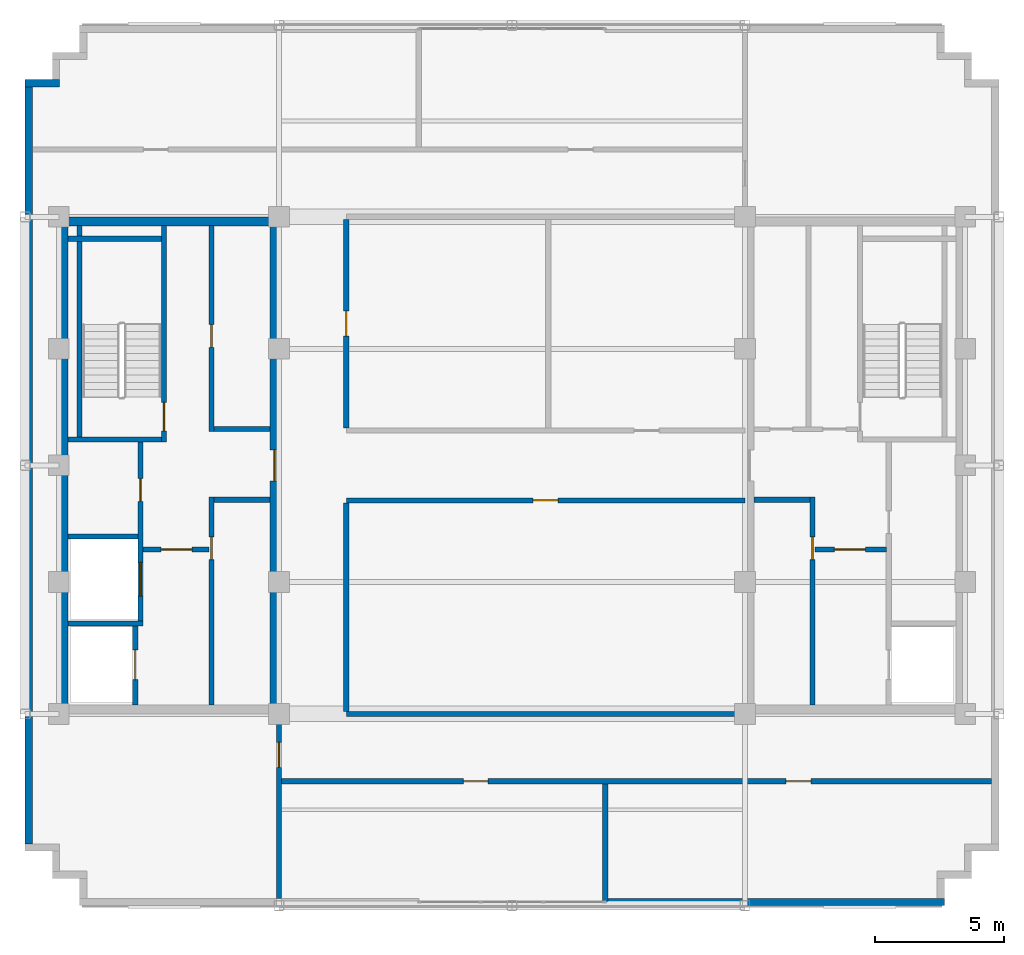
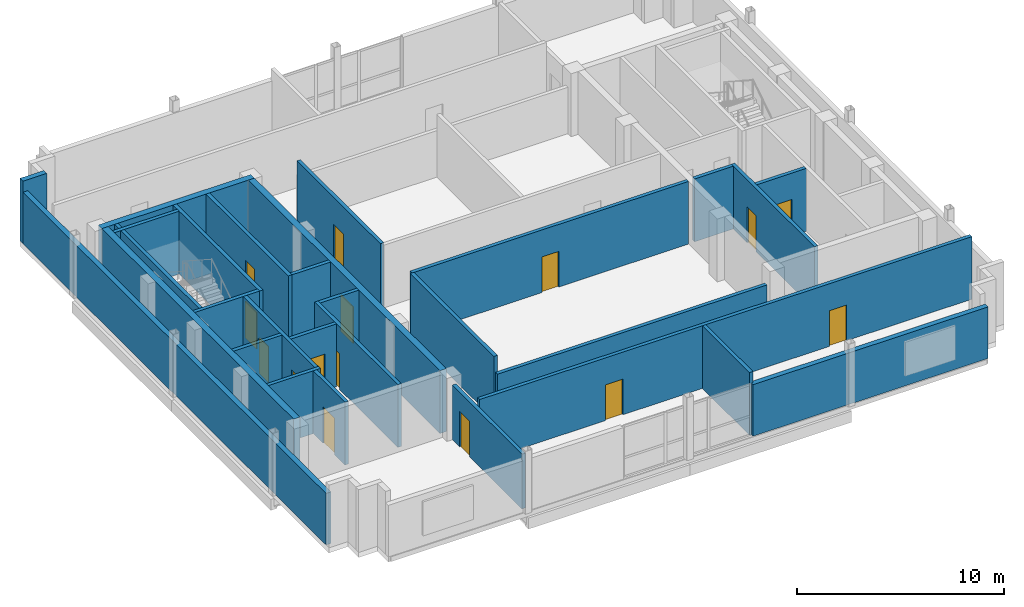
# One storey, part 2 of 10: 29 walls, 15 doors, 15 openings.
"""IFC4 building model written with IfcOpenShell, lengths in metres."""

from ifc_helpers import new_model, si_unit, direction, frame, frame_2d, origin, place, context, subcontext, project, spatial, rectangle, extrude, source, transform, mapped, material, layer, layer_set, type_object, type_shapes, element, fill, save


model = new_model("IFC4")

# Units and contexts
model_context = context("Model", 3, precision=1e-05, world=origin(), true_north=direction((0.0, 1.0)))
body_context = subcontext(model_context, "Body", "Model", "MODEL_VIEW")
ifc_project = project(units=[si_unit("LENGTHUNIT", "METRE"), si_unit("AREAUNIT", "SQUARE_METRE"), si_unit("VOLUMEUNIT", "CUBIC_METRE"), si_unit("PLANEANGLEUNIT", "RADIAN"), si_unit("MASSUNIT", "GRAM", prefix="KILO")], contexts=[model_context])

# Site, building, storey
site_placement = place(None, origin())
site = spatial("IfcSite", under=ifc_project, at=site_placement, CompositionType="ELEMENT")
building_placement = place(site_placement, origin())
building = spatial("IfcBuilding", under=site, at=building_placement, Name="Nuvemarco Arch Tower", CompositionType="ELEMENT")
storey_placement = place(building_placement, frame((0.0, 0.0, 299.14990234375)))
storey = spatial("IfcBuildingStorey", under=building, at=storey_placement, Name="L79", CompositionType="ELEMENT", Elevation=299.14990234375)

# Walls
ifc_material_1 = material(Name="Precast concrete C45/55", Category="concrete")
ifc_layer_1 = layer(ifc_material_1, 0.280029296875, Name="EW-CRN-280")
ifc_layer_set_1 = layer_set([ifc_layer_1], Name="Precast concrete C45/55")
wall_type_1 = type_object("IfcWallType", Name="EW-CRN-280", PredefinedType="STANDARD", material=ifc_layer_set_1)
wall_1_placement = place(storey_placement, frame((3.60009765625, -16.860107421875, 0.0), z_axis=(0.0, 0.0, 1.0), x_axis=(1.0, 0.0, 0.0)))
element("IfcWall", 1, at=wall_1_placement, inside=storey, type_object=wall_type_1, Name="L79 exterior precast pier wall south right", PredefinedType="STANDARD", context=body_context, shape_type="SweptSolid", body=[
    extrude(rectangle(XDim=13.099853515625, YDim=0.280029296875, at=frame_2d((6.5498046875, 0.0))), origin(), (0.0, 0.0, 1.0), 3.03515625),
])
wall_2_placement = place(storey_placement, frame((-18.800048828125, 14.760009765625, 0.0), z_axis=(0.0, 0.0, 1.0), x_axis=(1.0, 0.0, 0.0)))
element("IfcWall", 2, at=wall_2_placement, inside=storey, type_object=wall_type_1, Name="L79 exterior precast facade wall 15", PredefinedType="STANDARD", context=body_context, shape_type="SweptSolid", body=[
    extrude(rectangle(XDim=1.330078125, YDim=0.280029296875, at=frame_2d((0.6650390625, 0.0))), origin(), (0.0, 0.0, 1.0), 3.690185546875),
])
wall_3_placement = place(storey_placement, frame((-18.659912109375, -14.6240234375, 0.0), z_axis=(0.0, 0.0, 1.0), x_axis=(0.0, 1.0, 0.0)))
element("IfcWall", 3, at=wall_3_placement, inside=storey, type_object=wall_type_1, Name="L79 exterior precast facade wall 16", PredefinedType="STANDARD", context=body_context, shape_type="SweptSolid", body=[
    extrude(rectangle(XDim=29.248046875, YDim=0.280029296875, at=frame_2d((14.6240234375, 0.0))), origin(), (0.0, 0.0, 1.0), 3.03515625),
])
ifc_material_2 = material(Name="Concrete C50/60", Category="concrete")
ifc_layer_2 = layer(ifc_material_2, 0.35009765625, Name="WL-CORE-350")
ifc_layer_set_2 = layer_set([ifc_layer_2], Name="Concrete C50/60")
wall_type_2 = type_object("IfcWallType", Name="WL-CORE-350", PredefinedType="SHEAR", material=ifc_layer_set_2)
wall_4_placement = place(storey_placement, frame((-17.5, 9.425048828125, 0.0), z_axis=(0.0, 0.0, 1.0), x_axis=(1.0, 0.0, 0.0)))
element("IfcWall", 4, at=wall_4_placement, inside=storey, type_object=wall_type_2, Name="L79 W-core shear wall N", PredefinedType="SHEAR", context=body_context, shape_type="SweptSolid", body=[
    extrude(rectangle(XDim=8.5, YDim=0.35009765625, at=frame_2d((4.25, 0.0))), origin(), (0.0, 0.0, 1.0), 3.7001953125),
])
wall_5_placement = place(storey_placement, frame((-17.324951171875, -9.2548828125, 0.0), z_axis=(0.0, 0.0, 1.0), x_axis=(0.0, 1.0, 0.0)))
element("IfcWall", 5, at=wall_5_placement, inside=storey, type_object=wall_type_2, Name="L79 W-core shear wall W", PredefinedType="SHEAR", context=body_context, shape_type="SweptSolid", body=[
    extrude(rectangle(XDim=18.509765625, YDim=0.35009765625, at=frame_2d((9.2548828125, 0.0))), origin(), (0.0, 0.0, 1.0), 3.7001953125),
])

# Wall, opening, door
wall_6_placement = place(storey_placement, frame((-9.175048828125, -9.2548828125, 0.0), z_axis=(0.0, 0.0, 1.0), x_axis=(0.0, 1.0, 0.0)))
wall_6 = element("IfcWall", 6, at=wall_6_placement, inside=storey, type_object=wall_type_2, Name="L79 W-core shear wall E", PredefinedType="SHEAR", context=body_context, shape_type="SweptSolid", body=[
    extrude(rectangle(XDim=18.509765625, YDim=0.35009765625, at=frame_2d((9.2548828125, 0.0))), origin(), (0.0, 0.0, 1.0), 3.7001953125),
])
opening_1_placement = place(wall_6_placement, frame((8.655029296875, 0.0, 0.0)))
opening_1 = element("IfcOpeningElement", 7, at=opening_1_placement, cuts=wall_6, Name="Opening FD-2", PredefinedType="OPENING", context=body_context, shape_type="SweptSolid", body=[
    extrude(rectangle(XDim=1.199951171875, YDim=2.14990234375, at=frame_2d((0.60009765625, 1.074951171875))), frame((0.0, 0.18505859375, 0.0), z_axis=(0.0, -1.0, 0.0), x_axis=(1.0, 0.0, 0.0)), (0.0, 0.0, 1.0), 0.3701171875),
])
ifc_material_3 = material(Name="Anodised steel fire door", Category="steel")
door_type_1 = type_object("IfcDoorType", Name="DR-FFLOB-FD", OperationType="NOTDEFINED", PredefinedType="DOOR", material=ifc_material_3)
shared_shape_1 = source(origin(), body_context, "Body", "SweptSolid", [
    extrude(rectangle(XDim=1.199951171875, YDim=2.14990234375, at=frame_2d((0.60009765625, 1.074951171875))), frame((0.0, 0.02490234375, 0.0), z_axis=(0.0, -1.0, 0.0), x_axis=(1.0, 0.0, 0.0)), (0.0, 0.0, 1.0), 0.050048828125),
])
type_shapes(door_type_1, [shared_shape_1])
door_1_placement = place(opening_1_placement, origin())
door_1 = element("IfcDoor", 8, at=door_1_placement, inside=storey, type_object=door_type_1, Name="L79 door FD-L79-WCORE-E", OperationType="SINGLE_SWING_RIGHT", OverallHeight=2.14990234375, OverallWidth=1.199951171875, PredefinedType="DOOR", context=body_context, shape_type="MappedRepresentation", body=[
    mapped(shared_shape_1, transform((0.0, 0.0, 0.0), scale=1.0)),
])
fill(opening_1, door_1)

# Wall, openings, doors
ifc_layer_3 = layer(ifc_material_1, 0.199951171875, Name="WL-PLANT-200")
ifc_layer_set_3 = layer_set([ifc_layer_3], Name="Precast concrete C45/55")
wall_type_3 = type_object("IfcWallType", Name="WL-PLANT-200", PredefinedType="STANDARD", material=ifc_layer_set_3)
wall_7_placement = place(storey_placement, frame((-8.904052734375, -12.199951171875, 0.0), z_axis=(0.0, 0.0, 1.0), x_axis=(1.0, 0.0, 0.0)))
wall_7 = element("IfcWall", 9, at=wall_7_placement, inside=storey, type_object=wall_type_3, Name="L79 interior wall IW-L79-001", PredefinedType="STANDARD", context=body_context, shape_type="SweptSolid", body=[
    extrude(rectangle(XDim=27.424072265625, YDim=0.199951171875, at=frame_2d((13.7119140625, 0.0))), origin(), (0.0, 0.0, 1.0), 3.690185546875),
])
opening_2_placement = place(wall_7_placement, frame((19.48388671875, 0.0, 0.0)))
opening_2 = element("IfcOpeningElement", 10, at=opening_2_placement, cuts=wall_7, Name="Opening FD-5", PredefinedType="OPENING", context=body_context, shape_type="SweptSolid", body=[
    extrude(rectangle(XDim=0.9599609375, YDim=2.10009765625, at=frame_2d((0.47998046875, 1.050048828125))), frame((0.0, 0.10986328125, 0.0), z_axis=(0.0, -1.0, 0.0), x_axis=(1.0, 0.0, 0.0)), (0.0, 0.0, 1.0), 0.219970703125),
])
opening_3_placement = place(wall_7_placement, frame((7.02392578125, 0.0, 0.0)))
opening_3 = element("IfcOpeningElement", 11, at=opening_3_placement, cuts=wall_7, Name="Opening FD-5", PredefinedType="OPENING", context=body_context, shape_type="SweptSolid", body=[
    extrude(rectangle(XDim=0.9599609375, YDim=2.10009765625, at=frame_2d((0.47998046875, 1.050048828125))), frame((0.0, 0.10986328125, 0.0), z_axis=(0.0, -1.0, 0.0), x_axis=(1.0, 0.0, 0.0)), (0.0, 0.0, 1.0), 0.219970703125),
])
ifc_material_4 = material(Name="Timber fire door", Category="wood")
door_type_2 = type_object("IfcDoorType", Name="DR-CORR-FD", OperationType="NOTDEFINED", PredefinedType="DOOR", material=ifc_material_4)
shared_shape_2 = source(origin(), body_context, "Body", "SweptSolid", [
    extrude(rectangle(XDim=0.9599609375, YDim=2.10009765625, at=frame_2d((0.47998046875, 1.050048828125))), frame((0.0, 0.02490234375, 0.0), z_axis=(0.0, -1.0, 0.0), x_axis=(1.0, 0.0, 0.0)), (0.0, 0.0, 1.0), 0.050048828125),
])
type_shapes(door_type_2, [shared_shape_2])
door_2_placement = place(opening_2_placement, origin())
door_2 = element("IfcDoor", 12, at=door_2_placement, inside=storey, type_object=door_type_2, Name="L79 door DR-L79-CRN_S2", OperationType="SINGLE_SWING_LEFT", OverallHeight=2.10009765625, OverallWidth=0.9599609375, PredefinedType="DOOR", context=body_context, shape_type="MappedRepresentation", body=[
    mapped(shared_shape_2, transform((0.0, 0.0, 0.0), scale=1.0)),
])
fill(opening_2, door_2)
door_3_placement = place(opening_3_placement, origin())
door_3 = element("IfcDoor", 13, at=door_3_placement, inside=storey, type_object=door_type_2, Name="L79 door DR-L79-CRN_S1", OperationType="SINGLE_SWING_LEFT", OverallHeight=2.10009765625, OverallWidth=0.9599609375, PredefinedType="DOOR", context=body_context, shape_type="MappedRepresentation", body=[
    mapped(shared_shape_2, transform((0.0, 0.0, 0.0), scale=1.0)),
])
fill(opening_3, door_3)

# Wall
wall_8_placement = place(storey_placement, frame((-6.39990234375, -9.60009765625, 0.0), z_axis=(0.0, 0.0, 1.0), x_axis=(1.0, 0.0, 0.0)))
element("IfcWall", 14, at=wall_8_placement, inside=storey, type_object=wall_type_3, Name="L79 interior wall IW-L79-002", PredefinedType="STANDARD", context=body_context, shape_type="SweptSolid", body=[
    extrude(rectangle(XDim=15.00390625, YDim=0.199951171875, at=frame_2d((7.501953125, 0.0))), origin(), (0.0, 0.0, 1.0), 2.735107421875),
])

# Wall, opening, door
wall_9_placement = place(storey_placement, frame((-6.39990234375, -1.35009765625, 0.0), z_axis=(0.0, 0.0, 1.0), x_axis=(1.0, 0.0, 0.0)))
wall_9 = element("IfcWall", 15, at=wall_9_placement, inside=storey, type_object=wall_type_3, Name="L79 interior wall IW-L79-003", PredefinedType="STANDARD", context=body_context, shape_type="SweptSolid", body=[
    extrude(rectangle(XDim=15.39990234375, YDim=0.199951171875, at=frame_2d((7.699951171875, 0.0))), origin(), (0.0, 0.0, 1.0), 3.690185546875),
])
opening_4_placement = place(wall_9_placement, frame((7.219970703125, 0.0, 0.0)))
opening_4 = element("IfcOpeningElement", 16, at=opening_4_placement, cuts=wall_9, Name="Opening FD-5", PredefinedType="OPENING", context=body_context, shape_type="SweptSolid", body=[
    extrude(rectangle(XDim=0.9599609375, YDim=2.10009765625, at=frame_2d((0.47998046875, 1.050048828125))), frame((0.0, 0.10986328125, 0.0), z_axis=(0.0, -1.0, 0.0), x_axis=(1.0, 0.0, 0.0)), (0.0, 0.0, 1.0), 0.219970703125),
])
door_4_placement = place(opening_4_placement, origin())
door_4 = element("IfcDoor", 17, at=door_4_placement, inside=storey, type_object=door_type_2, Name="L79 door DR-L79-CRN_BMS", OperationType="SINGLE_SWING_RIGHT", OverallHeight=2.10009765625, OverallWidth=0.9599609375, PredefinedType="DOOR", context=body_context, shape_type="MappedRepresentation", body=[
    mapped(shared_shape_2, transform((0.0, 0.0, 0.0), scale=1.0)),
])
fill(opening_4, door_4)

wall_10_placement = place(storey_placement, frame((-9.0, -16.719970703125, 0.0), z_axis=(0.0, 0.0, 1.0), x_axis=(0.0, 1.0, 0.0)))
wall_10 = element("IfcWall", 18, at=wall_10_placement, inside=storey, type_object=wall_type_3, Name="L79 interior wall IW-L79-007", PredefinedType="STANDARD", context=body_context, shape_type="SweptSolid", body=[
    extrude(rectangle(XDim=6.723876953125, YDim=0.199951171875, at=frame_2d((3.36181640625, 0.0))), origin(), (0.0, 0.0, 1.0), 3.22216796875),
])
opening_5_placement = place(wall_10_placement, frame((5.06005859375, 0.0, 0.0)))
opening_5 = element("IfcOpeningElement", 19, at=opening_5_placement, cuts=wall_10, Name="Opening FD-5", PredefinedType="OPENING", context=body_context, shape_type="SweptSolid", body=[
    extrude(rectangle(XDim=0.9599609375, YDim=2.10009765625, at=frame_2d((0.47998046875, 1.050048828125))), frame((0.0, 0.10986328125, 0.0), z_axis=(0.0, -1.0, 0.0), x_axis=(1.0, 0.0, 0.0)), (0.0, 0.0, 1.0), 0.219970703125),
])
door_5_placement = place(opening_5_placement, origin())
door_5 = element("IfcDoor", 20, at=door_5_placement, inside=storey, type_object=door_type_2, Name="L79 door DR-L79-CRN_SW", OperationType="SINGLE_SWING_RIGHT", OverallHeight=2.10009765625, OverallWidth=0.9599609375, PredefinedType="DOOR", context=body_context, shape_type="MappedRepresentation", body=[
    mapped(shared_shape_2, transform((0.0, 0.0, 0.0), scale=1.0)),
])
fill(opening_5, door_5)

# Wall
wall_11_placement = place(storey_placement, frame((-6.39990234375, -9.50390625, 0.0), z_axis=(0.0, 0.0, 1.0), x_axis=(0.0, 1.0, 0.0)))
element("IfcWall", 21, at=wall_11_placement, inside=storey, type_object=wall_type_3, Name="L79 interior wall IW-L79-008", PredefinedType="STANDARD", context=body_context, shape_type="SweptSolid", body=[
    extrude(rectangle(XDim=8.057861328125, YDim=0.199951171875, at=frame_2d((4.02880859375, 0.0))), origin(), (0.0, 0.0, 1.0), 3.690185546875),
])

# Wall, opening, door
wall_12_placement = place(storey_placement, frame((-6.39990234375, 1.446044921875, 0.0), z_axis=(0.0, 0.0, 1.0), x_axis=(0.0, 1.0, 0.0)))
wall_12 = element("IfcWall", 22, at=wall_12_placement, inside=storey, type_object=wall_type_3, Name="L79 interior wall IW-L79-009", PredefinedType="STANDARD", context=body_context, shape_type="SweptSolid", body=[
    extrude(rectangle(XDim=8.057861328125, YDim=0.199951171875, at=frame_2d((4.02880859375, 0.0))), origin(), (0.0, 0.0, 1.0), 3.690185546875),
])
opening_6_placement = place(wall_12_placement, frame((3.549072265625, 0.0, 0.0)))
opening_6 = element("IfcOpeningElement", 23, at=opening_6_placement, cuts=wall_12, Name="Opening FD-5", PredefinedType="OPENING", context=body_context, shape_type="SweptSolid", body=[
    extrude(rectangle(XDim=0.9599609375, YDim=2.10009765625, at=frame_2d((0.47998046875, 1.050048828125))), frame((0.0, 0.10986328125, 0.0), z_axis=(0.0, -1.0, 0.0), x_axis=(1.0, 0.0, 0.0)), (0.0, 0.0, 1.0), 0.219970703125),
])
door_6_placement = place(opening_6_placement, origin())
door_6 = element("IfcDoor", 24, at=door_6_placement, inside=storey, type_object=door_type_2, Name="L79 door DR-L79-CRN_PUMP1", OperationType="SINGLE_SWING_LEFT", OverallHeight=2.10009765625, OverallWidth=0.9599609375, PredefinedType="DOOR", context=body_context, shape_type="MappedRepresentation", body=[
    mapped(shared_shape_2, transform((0.0, 0.0, 0.0), scale=1.0)),
])
fill(opening_6, door_6)

# Wall
wall_13_placement = place(storey_placement, frame((3.60009765625, -16.844970703125, 0.0), z_axis=(0.0, 0.0, 1.0), x_axis=(0.0, 1.0, 0.0)))
element("IfcWall", 25, at=wall_13_placement, inside=storey, type_object=wall_type_3, Name="L79 interior wall IW-L79-012", PredefinedType="STANDARD", context=body_context, shape_type="SweptSolid", body=[
    extrude(rectangle(XDim=4.549072265625, YDim=0.199951171875, at=frame_2d((2.2744140625, 0.0))), origin(), (0.0, 0.0, 1.0), 3.690185546875),
])

# Wall, opening, door
ifc_layer_4 = layer(ifc_material_2, 0.199951171875, Name="WL-SHAFT-220")
ifc_layer_set_4 = layer_set([ifc_layer_4], Name="Concrete C50/60")
wall_type_4 = type_object("IfcWallType", Name="WL-SHAFT-220", PredefinedType="SHEAR", material=ifc_layer_set_4)
wall_14_placement = place(storey_placement, frame((-13.43994140625, 0.89990234375, 0.0), z_axis=(0.0, 0.0, 1.0), x_axis=(0.0, 1.0, 0.0)))
wall_14 = element("IfcWall", 26, at=wall_14_placement, inside=storey, type_object=wall_type_4, Name="L79 structural shaft wall SW-L79-W-ST1E", PredefinedType="SHEAR", context=body_context, shape_type="SweptSolid", body=[
    extrude(rectangle(XDim=8.35498046875, YDim=0.199951171875, at=frame_2d((4.177490234375, 0.0))), origin(), (0.0, 0.0, 1.0), 3.7001953125),
])
opening_7_placement = place(wall_14_placement, frame((1.530029296875, 0.0, 0.0), z_axis=(0.0, 0.0, 1.0), x_axis=(-1.0, 0.0, 0.0)))
opening_7 = element("IfcOpeningElement", 27, at=opening_7_placement, cuts=wall_14, Name="Opening FD-1", PredefinedType="OPENING", context=body_context, shape_type="SweptSolid", body=[
    extrude(rectangle(XDim=1.10009765625, YDim=2.14990234375, at=frame_2d((0.550048828125, 1.074951171875))), frame((0.0, 0.10986328125, 0.0), z_axis=(0.0, -1.0, 0.0), x_axis=(1.0, 0.0, 0.0)), (0.0, 0.0, 1.0), 0.219970703125),
])
door_type_3 = type_object("IfcDoorType", Name="DR-STAIR-FD", OperationType="NOTDEFINED", PredefinedType="DOOR", material=ifc_material_3)
shared_shape_3 = source(origin(), body_context, "Body", "SweptSolid", [
    extrude(rectangle(XDim=1.10009765625, YDim=2.14990234375, at=frame_2d((0.550048828125, 1.074951171875))), frame((0.0, 0.02490234375, 0.0), z_axis=(0.0, -1.0, 0.0), x_axis=(1.0, 0.0, 0.0)), (0.0, 0.0, 1.0), 0.050048828125),
])
type_shapes(door_type_3, [shared_shape_3])
door_7_placement = place(opening_7_placement, origin())
door_7 = element("IfcDoor", 28, at=door_7_placement, inside=storey, type_object=door_type_3, Name="L79 door FD-L79-ST1", OperationType="SINGLE_SWING_LEFT", OverallHeight=2.14990234375, OverallWidth=1.10009765625, PredefinedType="DOOR", context=body_context, shape_type="MappedRepresentation", body=[
    mapped(shared_shape_3, transform((0.0, 0.0, 0.0), scale=1.0)),
])
fill(opening_7, door_7)

# Walls
for number, where, z_axis, x_axis, name in (
    (29, (-17.155029296875, 1.0, 0.0), (0.0, 0.0, 1.0), (1.0, 0.0, 0.0), "L79 structural shaft wall SW-L79-W-ST1S"),
    (30, (-17.155029296875, 8.75, 0.0), (0.0, 0.0, 1.0), (1.0, 0.0, 0.0), "L79 structural shaft wall SW-L79-W-ST1N"),
):
    element("IfcWall", number, at=place(storey_placement, frame(where, z_axis=z_axis, x_axis=x_axis)), inside=storey, type_object=wall_type_4, Name=name, PredefinedType="SHEAR", context=body_context, shape_type="SweptSolid", body=[
        extrude(rectangle(XDim=3.6201171875, YDim=0.199951171875, at=frame_2d((1.81005859375, 0.0))), origin(), (0.0, 0.0, 1.0), 3.7001953125),
    ])
wall_15_placement = place(storey_placement, frame((-16.699951171875, 1.094970703125, 0.0), z_axis=(0.0, 0.0, 1.0), x_axis=(0.0, 1.0, 0.0)))
element("IfcWall", 31, at=wall_15_placement, inside=storey, type_object=wall_type_4, Name="L79 structural shaft wall SW-L79-W-ST1W", PredefinedType="SHEAR", context=body_context, shape_type="SweptSolid", body=[
    extrude(rectangle(XDim=8.159912109375, YDim=0.199951171875, at=frame_2d((4.080078125, 0.0))), origin(), (0.0, 0.0, 1.0), 3.7001953125),
])

# Wall, opening, door
wall_16_placement = place(storey_placement, frame((-14.550048828125, -9.2548828125, 0.0), z_axis=(0.0, 0.0, 1.0), x_axis=(0.0, 1.0, 0.0)))
wall_16 = element("IfcWall", 32, at=wall_16_placement, inside=storey, type_object=wall_type_4, Name="L79 structural shaft wall SW-L79-W-SHE", PredefinedType="SHEAR", context=body_context, shape_type="SweptSolid", body=[
    extrude(rectangle(XDim=3.059814453125, YDim=0.199951171875, at=frame_2d((1.52978515625, 0.0))), origin(), (0.0, 0.0, 1.0), 3.7001953125),
])
opening_8_placement = place(wall_16_placement, frame((0.97998046875, 0.0, 0.0)))
opening_8 = element("IfcOpeningElement", 33, at=opening_8_placement, cuts=wall_16, Name="Opening LD-2", PredefinedType="OPENING", context=body_context, shape_type="SweptSolid", body=[
    extrude(rectangle(XDim=1.14990234375, YDim=2.14990234375, at=frame_2d((0.574951171875, 1.074951171875))), frame((0.0, 0.10986328125, 0.0), z_axis=(0.0, -1.0, 0.0), x_axis=(1.0, 0.0, 0.0)), (0.0, 0.0, 1.0), 0.219970703125),
])
ifc_material_5 = material(Name="Stainless steel lift door", Category="steel")
door_type_4 = type_object("IfcDoorType", Name="DR-LIFT-FIRE", OperationType="DOUBLE_DOOR_SLIDING", PredefinedType="DOOR", material=ifc_material_5)
shared_shape_4 = source(origin(), body_context, "Body", "SweptSolid", [
    extrude(rectangle(XDim=1.14990234375, YDim=2.14990234375, at=frame_2d((0.574951171875, 1.074951171875))), frame((0.0, 0.02490234375, 0.0), z_axis=(0.0, -1.0, 0.0), x_axis=(1.0, 0.0, 0.0)), (0.0, 0.0, 1.0), 0.050048828125),
])
type_shapes(door_type_4, [shared_shape_4])
door_8_placement = place(opening_8_placement, origin())
door_8 = element("IfcDoor", 34, at=door_8_placement, inside=storey, type_object=door_type_4, Name="L79 Lift landing sliding door FFL-1", OperationType="DOUBLE_DOOR_SLIDING", OverallHeight=2.14990234375, OverallWidth=1.14990234375, PredefinedType="DOOR", context=body_context, shape_type="MappedRepresentation", body=[
    mapped(shared_shape_4, transform((0.0, 0.0, 0.0), scale=1.0)),
])
fill(opening_8, door_8)

# Wall, openings, doors
wall_17_placement = place(storey_placement, frame((-14.35009765625, -6.199951171875, 0.0), z_axis=(0.0, 0.0, 1.0), x_axis=(0.0, 1.0, 0.0)))
wall_17 = element("IfcWall", 35, at=wall_17_placement, inside=storey, type_object=wall_type_4, Name="L79 structural shaft wall SW-L79-W-SVE", PredefinedType="SHEAR", context=body_context, shape_type="SweptSolid", body=[
    extrude(rectangle(XDim=7.10498046875, YDim=0.199951171875, at=frame_2d((3.552490234375, 0.0))), origin(), (0.0, 0.0, 1.0), 3.7001953125),
])
opening_9_placement = place(wall_17_placement, frame((5.68994140625, 0.0, 0.0), z_axis=(0.0, 0.0, 1.0), x_axis=(-1.0, 0.0, 0.0)))
opening_9 = element("IfcOpeningElement", 36, at=opening_9_placement, cuts=wall_17, Name="Opening FD-4", PredefinedType="OPENING", context=body_context, shape_type="SweptSolid", body=[
    extrude(rectangle(XDim=0.8798828125, YDim=2.10009765625, at=frame_2d((0.43994140625, 1.050048828125))), frame((0.0, 0.10986328125, 0.0), z_axis=(0.0, -1.0, 0.0), x_axis=(1.0, 0.0, 0.0)), (0.0, 0.0, 1.0), 0.219970703125),
])
opening_10_placement = place(wall_17_placement, frame((1.14990234375, 0.0, 0.0)))
opening_10 = element("IfcOpeningElement", 37, at=opening_10_placement, cuts=wall_17, Name="Opening LD-3", PredefinedType="OPENING", context=body_context, shape_type="SweptSolid", body=[
    extrude(rectangle(XDim=1.300048828125, YDim=2.199951171875, at=frame_2d((0.64990234375, 1.10009765625))), frame((0.0, 0.10986328125, 0.0), z_axis=(0.0, -1.0, 0.0), x_axis=(1.0, 0.0, 0.0)), (0.0, 0.0, 1.0), 0.219970703125),
])
door_type_5 = type_object("IfcDoorType", Name="DR-RISER-FD", OperationType="NOTDEFINED", PredefinedType="DOOR", material=ifc_material_3)
shared_shape_5 = source(origin(), body_context, "Body", "SweptSolid", [
    extrude(rectangle(XDim=0.8798828125, YDim=2.10009765625, at=frame_2d((0.43994140625, 1.050048828125))), frame((0.0, 0.02490234375, 0.0), z_axis=(0.0, -1.0, 0.0), x_axis=(1.0, 0.0, 0.0)), (0.0, 0.0, 1.0), 0.050048828125),
])
type_shapes(door_type_5, [shared_shape_5])
door_9_placement = place(opening_9_placement, origin())
door_9 = element("IfcDoor", 38, at=door_9_placement, inside=storey, type_object=door_type_5, Name="L79 door FD-L79-WRIS", OperationType="SINGLE_SWING_LEFT", OverallHeight=2.10009765625, OverallWidth=0.8798828125, PredefinedType="DOOR", context=body_context, shape_type="MappedRepresentation", body=[
    mapped(shared_shape_5, transform((0.0, 0.0, 0.0), scale=1.0)),
])
fill(opening_9, door_9)
door_type_6 = type_object("IfcDoorType", Name="DR-LIFT-SERV", OperationType="DOUBLE_DOOR_SLIDING", PredefinedType="DOOR", material=ifc_material_5)
shared_shape_6 = source(origin(), body_context, "Body", "SweptSolid", [
    extrude(rectangle(XDim=1.300048828125, YDim=2.199951171875, at=frame_2d((0.64990234375, 1.10009765625))), frame((0.0, 0.02490234375, 0.0), z_axis=(0.0, -1.0, 0.0), x_axis=(1.0, 0.0, 0.0)), (0.0, 0.0, 1.0), 0.050048828125),
])
type_shapes(door_type_6, [shared_shape_6])
door_10_placement = place(opening_10_placement, origin())
door_10 = element("IfcDoor", 39, at=door_10_placement, inside=storey, type_object=door_type_6, Name="L79 Lift landing sliding door SVL-1", OperationType="DOUBLE_DOOR_SLIDING", OverallHeight=2.199951171875, OverallWidth=1.300048828125, PredefinedType="DOOR", context=body_context, shape_type="MappedRepresentation", body=[
    mapped(shared_shape_6, transform((0.0, 0.0, 0.0), scale=1.0)),
])
fill(opening_10, door_10)

# Walls
wall_18_placement = place(storey_placement, frame((-17.155029296875, -6.10009765625, 0.0), z_axis=(0.0, 0.0, 1.0), x_axis=(1.0, 0.0, 0.0)))
element("IfcWall", 40, at=wall_18_placement, inside=storey, type_object=wall_type_4, Name="L79 structural shaft wall SW-L79-W-SH1", PredefinedType="SHEAR", context=body_context, shape_type="SweptSolid", body=[
    extrude(rectangle(XDim=2.905029296875, YDim=0.199951171875, at=frame_2d((1.45263671875, 0.0))), origin(), (0.0, 0.0, 1.0), 3.7001953125),
])
wall_19_placement = place(storey_placement, frame((-17.155029296875, -2.75, 0.0), z_axis=(0.0, 0.0, 1.0), x_axis=(1.0, 0.0, 0.0)))
element("IfcWall", 41, at=wall_19_placement, inside=storey, type_object=wall_type_4, Name="L79 structural shaft wall SW-L79-W-SH2", PredefinedType="SHEAR", context=body_context, shape_type="SweptSolid", body=[
    extrude(rectangle(XDim=2.7099609375, YDim=0.199951171875, at=frame_2d((1.35498046875, 0.0))), origin(), (0.0, 0.0, 1.0), 3.7001953125),
])

# Wall, opening, door
wall_20_placement = place(storey_placement, frame((-11.60009765625, -9.2548828125, 0.0), z_axis=(0.0, 0.0, 1.0), x_axis=(0.0, 1.0, 0.0)))
wall_20 = element("IfcWall", 42, at=wall_20_placement, inside=storey, type_object=wall_type_4, Name="L79 structural shaft wall SW-L79-W-PLW", PredefinedType="SHEAR", context=body_context, shape_type="SweptSolid", body=[
    extrude(rectangle(XDim=8.02490234375, YDim=0.199951171875, at=frame_2d((4.012451171875, 0.0))), origin(), (0.0, 0.0, 1.0), 3.7001953125),
])
opening_11_placement = place(wall_20_placement, frame((5.614990234375, 0.0, 0.0)))
opening_11 = element("IfcOpeningElement", 43, at=opening_11_placement, cuts=wall_20, Name="Opening FD-4", PredefinedType="OPENING", context=body_context, shape_type="SweptSolid", body=[
    extrude(rectangle(XDim=0.8798828125, YDim=2.10009765625, at=frame_2d((0.43994140625, 1.050048828125))), frame((0.0, 0.10986328125, 0.0), z_axis=(0.0, -1.0, 0.0), x_axis=(1.0, 0.0, 0.0)), (0.0, 0.0, 1.0), 0.219970703125),
])
door_11_placement = place(opening_11_placement, origin())
door_11 = element("IfcDoor", 44, at=door_11_placement, inside=storey, type_object=door_type_5, Name="L79 door FD-L79-WREC1", OperationType="SINGLE_SWING_LEFT", OverallHeight=2.10009765625, OverallWidth=0.8798828125, PredefinedType="DOOR", context=body_context, shape_type="MappedRepresentation", body=[
    mapped(shared_shape_5, transform((0.0, 0.0, 0.0), scale=1.0)),
])
fill(opening_11, door_11)

wall_21_placement = place(storey_placement, frame((-14.2548828125, -3.25, 0.0), z_axis=(0.0, 0.0, 1.0), x_axis=(1.0, 0.0, 0.0)))
wall_21 = element("IfcWall", 45, at=wall_21_placement, inside=storey, type_object=wall_type_4, Name="L79 structural shaft wall SW-L79-W-FFN", PredefinedType="SHEAR", context=body_context, shape_type="SweptSolid", body=[
    extrude(rectangle(XDim=2.559814453125, YDim=0.199951171875, at=frame_2d((1.27978515625, 0.0))), origin(), (0.0, 0.0, 1.0), 3.7001953125),
])
opening_12_placement = place(wall_21_placement, frame((0.705078125, 0.0, 0.0)))
opening_12 = element("IfcOpeningElement", 46, at=opening_12_placement, cuts=wall_21, Name="Opening FD-2", PredefinedType="OPENING", context=body_context, shape_type="SweptSolid", body=[
    extrude(rectangle(XDim=1.199951171875, YDim=2.14990234375, at=frame_2d((0.60009765625, 1.074951171875))), frame((0.0, 0.10986328125, 0.0), z_axis=(0.0, -1.0, 0.0), x_axis=(1.0, 0.0, 0.0)), (0.0, 0.0, 1.0), 0.219970703125),
])
door_12_placement = place(opening_12_placement, origin())
door_12 = element("IfcDoor", 47, at=door_12_placement, inside=storey, type_object=door_type_1, Name="L79 door FD-L79-WFF1", OperationType="SINGLE_SWING_LEFT", OverallHeight=2.14990234375, OverallWidth=1.199951171875, PredefinedType="DOOR", context=body_context, shape_type="MappedRepresentation", body=[
    mapped(shared_shape_1, transform((0.0, 0.0, 0.0), scale=1.0)),
])
fill(opening_12, door_12)

# Wall
wall_22_placement = place(storey_placement, frame((-11.5048828125, -1.330078125, 0.0), z_axis=(0.0, 0.0, 1.0), x_axis=(1.0, 0.0, 0.0)))
element("IfcWall", 48, at=wall_22_placement, inside=storey, type_object=wall_type_4, Name="L79 structural shaft wall SW-L79-W-PLTOP", PredefinedType="SHEAR", context=body_context, shape_type="SweptSolid", body=[
    extrude(rectangle(XDim=2.159912109375, YDim=0.199951171875, at=frame_2d((1.080078125, 0.0))), origin(), (0.0, 0.0, 1.0), 3.7001953125),
])

# Wall, opening, door
wall_23_placement = place(storey_placement, frame((-11.60009765625, 1.300048828125, 0.0), z_axis=(0.0, 0.0, 1.0), x_axis=(0.0, 1.0, 0.0)))
wall_23 = element("IfcWall", 49, at=wall_23_placement, inside=storey, type_object=wall_type_4, Name="L79 structural shaft wall SW-L79-W-PHW", PredefinedType="SHEAR", context=body_context, shape_type="SweptSolid", body=[
    extrude(rectangle(XDim=7.954833984375, YDim=0.199951171875, at=frame_2d((3.9775390625, 0.0))), origin(), (0.0, 0.0, 1.0), 3.7001953125),
])
opening_13_placement = place(wall_23_placement, frame((3.260009765625, 0.0, 0.0)))
opening_13 = element("IfcOpeningElement", 50, at=opening_13_placement, cuts=wall_23, Name="Opening FD-4", PredefinedType="OPENING", context=body_context, shape_type="SweptSolid", body=[
    extrude(rectangle(XDim=0.8798828125, YDim=2.10009765625, at=frame_2d((0.43994140625, 1.050048828125))), frame((0.0, 0.10986328125, 0.0), z_axis=(0.0, -1.0, 0.0), x_axis=(1.0, 0.0, 0.0)), (0.0, 0.0, 1.0), 0.219970703125),
])
door_13_placement = place(opening_13_placement, origin())
door_13 = element("IfcDoor", 51, at=door_13_placement, inside=storey, type_object=door_type_5, Name="L79 door FD-L79-WRECPH", OperationType="SINGLE_SWING_LEFT", OverallHeight=2.10009765625, OverallWidth=0.8798828125, PredefinedType="DOOR", context=body_context, shape_type="MappedRepresentation", body=[
    mapped(shared_shape_5, transform((0.0, 0.0, 0.0), scale=1.0)),
])
fill(opening_13, door_13)

# Wall
wall_24_placement = place(storey_placement, frame((-11.5048828125, 1.39990234375, 0.0), z_axis=(0.0, 0.0, 1.0), x_axis=(1.0, 0.0, 0.0)))
element("IfcWall", 52, at=wall_24_placement, inside=storey, type_object=wall_type_4, Name="L79 structural shaft wall SW-L79-W-PHBOT", PredefinedType="SHEAR", context=body_context, shape_type="SweptSolid", body=[
    extrude(rectangle(XDim=2.159912109375, YDim=0.199951171875, at=frame_2d((1.080078125, 0.0))), origin(), (0.0, 0.0, 1.0), 3.7001953125),
])

# Wall, opening, door
wall_25_placement = place(storey_placement, frame((11.60009765625, -9.2548828125, 0.0), z_axis=(0.0, 0.0, 1.0), x_axis=(0.0, 1.0, 0.0)))
wall_25 = element("IfcWall", 53, at=wall_25_placement, inside=storey, type_object=wall_type_4, Name="L79 structural shaft wall SW-L79-E-PME", PredefinedType="SHEAR", context=body_context, shape_type="SweptSolid", body=[
    extrude(rectangle(XDim=8.02490234375, YDim=0.199951171875, at=frame_2d((4.012451171875, 0.0))), origin(), (0.0, 0.0, 1.0), 3.7001953125),
])
opening_14_placement = place(wall_25_placement, frame((5.614990234375, 0.0, 0.0)))
opening_14 = element("IfcOpeningElement", 54, at=opening_14_placement, cuts=wall_25, Name="Opening FD-4", PredefinedType="OPENING", context=body_context, shape_type="SweptSolid", body=[
    extrude(rectangle(XDim=0.8798828125, YDim=2.10009765625, at=frame_2d((0.43994140625, 1.050048828125))), frame((0.0, 0.10986328125, 0.0), z_axis=(0.0, -1.0, 0.0), x_axis=(1.0, 0.0, 0.0)), (0.0, 0.0, 1.0), 0.219970703125),
])
door_14_placement = place(opening_14_placement, origin())
door_14 = element("IfcDoor", 55, at=door_14_placement, inside=storey, type_object=door_type_5, Name="L79 door FD-L79-ERECPM", OperationType="SINGLE_SWING_RIGHT", OverallHeight=2.10009765625, OverallWidth=0.8798828125, PredefinedType="DOOR", context=body_context, shape_type="MappedRepresentation", body=[
    mapped(shared_shape_5, transform((0.0, 0.0, 0.0), scale=1.0)),
])
fill(opening_14, door_14)

wall_26_placement = place(storey_placement, frame((11.695068359375, -3.25, 0.0), z_axis=(0.0, 0.0, 1.0), x_axis=(1.0, 0.0, 0.0)))
wall_26 = element("IfcWall", 56, at=wall_26_placement, inside=storey, type_object=wall_type_4, Name="L79 structural shaft wall SW-L79-E-FFN", PredefinedType="SHEAR", context=body_context, shape_type="SweptSolid", body=[
    extrude(rectangle(XDim=2.760009765625, YDim=0.199951171875, at=frame_2d((1.3798828125, 0.0))), origin(), (0.0, 0.0, 1.0), 3.7001953125),
])
opening_15_placement = place(wall_26_placement, frame((0.7548828125, 0.0, 0.0)))
opening_15 = element("IfcOpeningElement", 57, at=opening_15_placement, cuts=wall_26, Name="Opening FD-2", PredefinedType="OPENING", context=body_context, shape_type="SweptSolid", body=[
    extrude(rectangle(XDim=1.199951171875, YDim=2.14990234375, at=frame_2d((0.60009765625, 1.074951171875))), frame((0.0, 0.10986328125, 0.0), z_axis=(0.0, -1.0, 0.0), x_axis=(1.0, 0.0, 0.0)), (0.0, 0.0, 1.0), 0.219970703125),
])
door_15_placement = place(opening_15_placement, origin())
door_15 = element("IfcDoor", 58, at=door_15_placement, inside=storey, type_object=door_type_1, Name="L79 door FD-L79-EFF2", OperationType="SINGLE_SWING_RIGHT", OverallHeight=2.14990234375, OverallWidth=1.199951171875, PredefinedType="DOOR", context=body_context, shape_type="MappedRepresentation", body=[
    mapped(shared_shape_1, transform((0.0, 0.0, 0.0), scale=1.0)),
])
fill(opening_15, door_15)

# Wall
wall_27_placement = place(storey_placement, frame((9.344970703125, -1.330078125, 0.0), z_axis=(0.0, 0.0, 1.0), x_axis=(1.0, 0.0, 0.0)))
element("IfcWall", 59, at=wall_27_placement, inside=storey, type_object=wall_type_4, Name="L79 structural shaft wall SW-L79-E-PMTOP", PredefinedType="SHEAR", context=body_context, shape_type="SweptSolid", body=[
    extrude(rectangle(XDim=2.159912109375, YDim=0.199951171875, at=frame_2d((1.080078125, 0.0))), origin(), (0.0, 0.0, 1.0), 3.7001953125),
])

save(model, "model.ifc")
